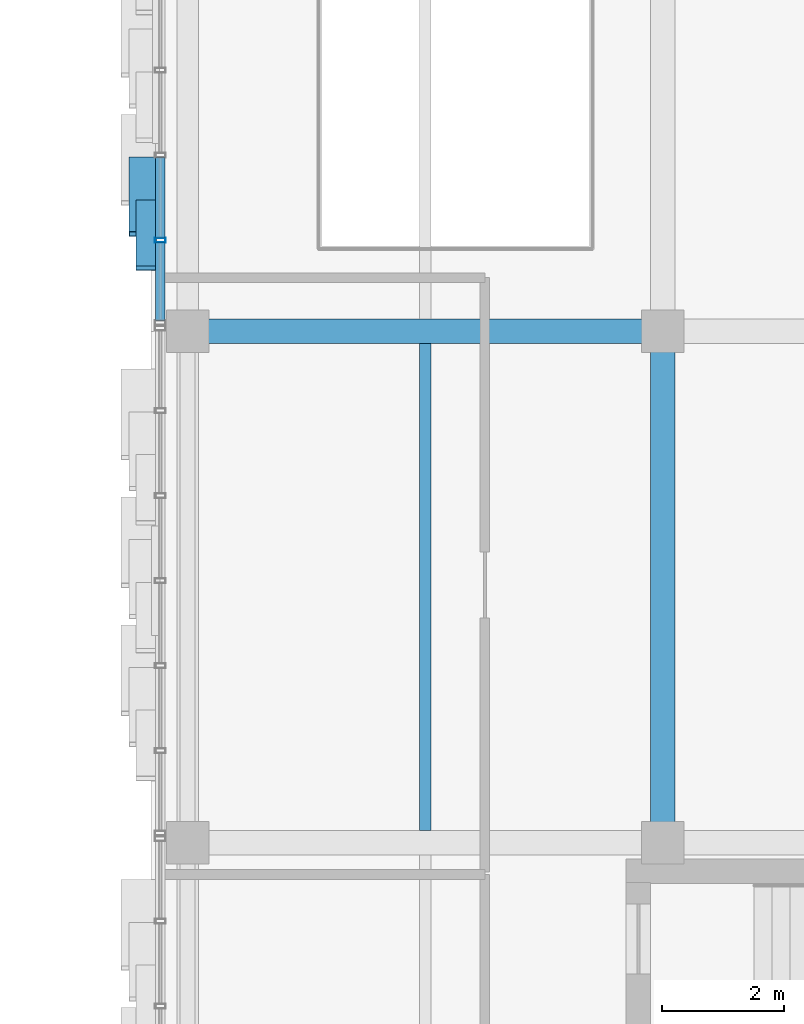
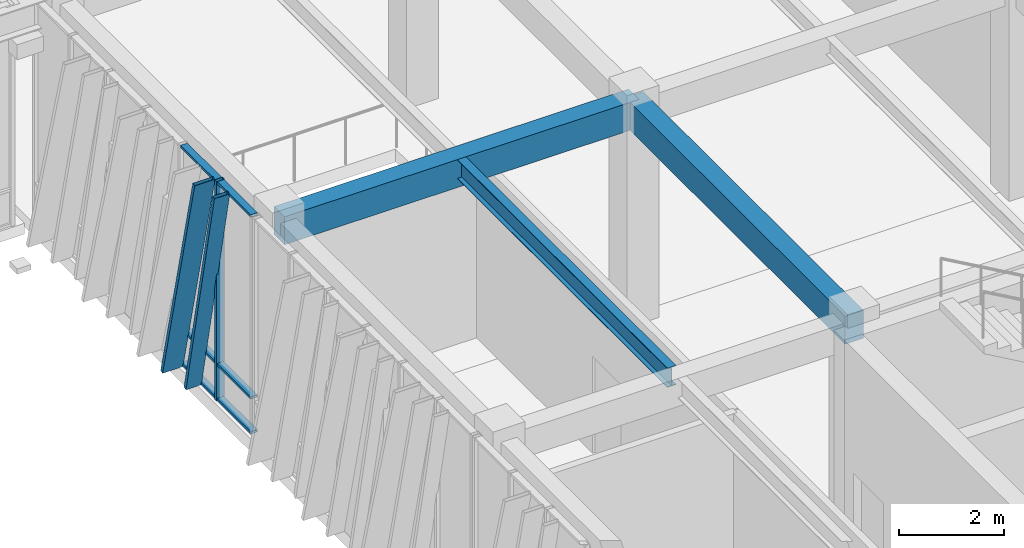
# One storey, part 34 of 139: 9 members, 3 beams, 1 element without a shape of its own.
"""IFC4 building model written with IfcOpenShell, lengths in metres."""

from ifc_helpers import new_model, si_unit, direction, frame, origin, origin_2d, place, context, subcontext, project, spatial, rectangle, hollow_rectangle, i_section, extrude, material, layer, layer_set, material_profile, profile_set, type_object, element, aggregate, save


model = new_model("IFC4")

# Units and contexts
model_context = context("Model", 3, precision=1e-05, world=origin(), true_north=direction((0.0, 1.0)))
body_context = subcontext(model_context, "Body", "Model", "MODEL_VIEW")
ifc_project = project(units=[si_unit("LENGTHUNIT", "METRE"), si_unit("AREAUNIT", "SQUARE_METRE"), si_unit("VOLUMEUNIT", "CUBIC_METRE"), si_unit("PLANEANGLEUNIT", "RADIAN"), si_unit("MASSUNIT", "GRAM", prefix="KILO")], contexts=[model_context])

# Site, building, storey
site_placement = place(None, origin())
site = spatial("IfcSite", under=ifc_project, at=site_placement, CompositionType="ELEMENT")
building_placement = place(site_placement, origin())
building = spatial("IfcBuilding", under=site, at=building_placement, Name="Zayran Congress Hotel", CompositionType="ELEMENT")
storey_placement = place(building_placement, frame((0.0, 0.0, 5.39990234375)))
storey = spatial("IfcBuildingStorey", under=building, at=storey_placement, Name="L01", CompositionType="ELEMENT", Elevation=5.39990234375)

# Beams
ifc_material_1 = material(Name="Concrete C40/50", Category="concrete")
ifc_material_profile_1 = material_profile(ifc_material_1, rectangle(XDim=0.39990234375, YDim=0.64990234375, at=origin_2d()), Name="RC 400x650")
ifc_profile_set_1 = profile_set([ifc_material_profile_1], Name="Concrete C40/50")
beam_type_1 = type_object("IfcBeamType", Name="TP-BM-03", PredefinedType="BEAM", material=ifc_profile_set_1)
beam_1_placement = place(storey_placement, frame((109.800048828125, 67.60009765625, 4.775146484375), z_axis=(1.0, 0.0, 0.0), x_axis=(0.0, 1.0, 0.0)))
element("IfcBeam", 1, at=beam_1_placement, inside=storey, type_object=beam_type_1, Name="BM-V4-L01-1320", PredefinedType="BEAM", context=body_context, shape_type="SweptSolid", body=[
    extrude(rectangle(XDim=0.39990234375, YDim=0.64990234375, at=origin_2d()), origin(), (0.0, 0.0, 1.0), 7.800048828125),
])
beam_2_placement = place(storey_placement, frame((117.60009765625, 59.199951171875, 4.775146484375), z_axis=(0.0, 1.0, 0.0), x_axis=(-1.0, 0.0, 0.0)))
element("IfcBeam", 2, at=beam_2_placement, inside=storey, type_object=beam_type_1, Name="BM-V4-L01-1353", PredefinedType="BEAM", context=body_context, shape_type="SweptSolid", body=[
    extrude(rectangle(XDim=0.39990234375, YDim=0.64990234375, at=origin_2d()), origin(), (0.0, 0.0, 1.0), 8.400146484375),
])
ifc_material_2 = material(Name="Steel S355", Category="steel")
ifc_material_profile_2 = material_profile(ifc_material_2, i_section(OverallWidth=0.18994140625, OverallDepth=0.449951171875, WebThickness=0.009521484375, FlangeThickness=0.0146484375, at=origin_2d()), Name="IPE 450")
ifc_profile_set_2 = profile_set([ifc_material_profile_2], Name="Steel S355")
beam_type_2 = type_object("IfcBeamType", Name="TP-JS-02", PredefinedType="JOIST", material=ifc_profile_set_2)
beam_3_placement = place(storey_placement, frame((113.699951171875, 59.39990234375, 4.875), z_axis=(0.0, 1.0, 0.0), x_axis=(-1.0, 0.0, 0.0)))
element("IfcBeam", 3, at=beam_3_placement, inside=storey, type_object=beam_type_2, Name="JST-V4-L01-1384", PredefinedType="JOIST", context=body_context, shape_type="SweptSolid", body=[
    extrude(i_section(OverallWidth=0.18994140625, OverallDepth=0.449951171875, WebThickness=0.009521484375, FlangeThickness=0.0146484375, at=origin_2d()), origin(), (0.0, 0.0, 1.0), 8.0),
])

# Curtain wall, members
ifc_material_3 = material(Name="Anodised aluminium and low-E insulated glass", Category="aluminium")
ifc_layer = layer(ifc_material_3, 0.179931640625)
ifc_layer_set = layer_set([ifc_layer], Name="Anodised aluminium and low-E insulated glass")
curtain_wall_type = type_object("IfcCurtainWallType", Name="CW-V4W-L01-CW-51-8371-5100", PredefinedType="USERDEFINED", material=ifc_layer_set)
curtain_wall_placement = place(storey_placement, origin())
curtain_wall = element("IfcCurtainWall", 4, at=curtain_wall_placement, inside=storey, type_object=curtain_wall_type, Name="CW-V4W-L01-3", ObjectType="CURTAIN WALL", PredefinedType="USERDEFINED")
ifc_material_4 = material(Name="Anodised aluminium framing", Category="aluminium")
ifc_material_profile_3 = material_profile(ifc_material_4, hollow_rectangle(XDim=0.080078125, YDim=0.179931640625, WallThickness=0.0048828125, at=origin_2d()), Name="RHS 180x80x5")
ifc_profile_set_3 = profile_set([ifc_material_profile_3], Name="Anodised aluminium framing")
member_type_1 = type_object("IfcMemberType", Name="TP-CWM-01", PredefinedType="MULLION", material=ifc_profile_set_3)
member_1_placement = place(storey_placement, frame((109.35009765625, 69.09423828125, 0.0), z_axis=(0.0, 0.0, 1.0), x_axis=(0.0, 1.0, 0.0)))
member_1 = element("IfcMember", 5, at=member_1_placement, type_object=member_type_1, Name="CW-V4W-L01-3-M05", PredefinedType="MULLION", context=body_context, shape_type="SweptSolid", body=[
    extrude(hollow_rectangle(XDim=0.080078125, YDim=0.179931640625, WallThickness=0.0048828125, at=origin_2d()), origin(), (0.0, 0.0, 1.0), 5.10009765625),
])
ifc_material_profile_4 = material_profile(ifc_material_4, hollow_rectangle(XDim=0.06005859375, YDim=0.14990234375, WallThickness=0.00390625, at=origin_2d()), Name="RHS 150x60x4")
ifc_profile_set_4 = profile_set([ifc_material_profile_4], Name="Anodised aluminium framing")
member_type_2 = type_object("IfcMemberType", Name="TP-CWT-01", PredefinedType="USERDEFINED", material=ifc_profile_set_4)
member_2_placement = place(storey_placement, frame((109.35009765625, 70.44921875, 0.030029296875), z_axis=(0.0, -1.0, 0.0), x_axis=(0.0, 0.0, 1.0)))
member_2 = element("IfcMember", 6, at=member_2_placement, type_object=member_type_2, Name="CW-V4W-L01-3-T04-0", ObjectType="TRANSOM", PredefinedType="USERDEFINED", context=body_context, shape_type="SweptSolid", body=[
    extrude(hollow_rectangle(XDim=0.06005859375, YDim=0.14990234375, WallThickness=0.00390625, at=origin_2d()), origin(), (0.0, 0.0, 1.0), 1.31494140625),
])
member_3_placement = place(storey_placement, frame((109.35009765625, 70.44921875, 0.840087890625), z_axis=(0.0, -1.0, 0.0), x_axis=(0.0, 0.0, 1.0)))
member_3 = element("IfcMember", 7, at=member_3_placement, type_object=member_type_2, Name="CW-V4W-L01-3-T04-1", ObjectType="TRANSOM", PredefinedType="USERDEFINED", context=body_context, shape_type="SweptSolid", body=[
    extrude(hollow_rectangle(XDim=0.06005859375, YDim=0.14990234375, WallThickness=0.00390625, at=origin_2d()), origin(), (0.0, 0.0, 1.0), 1.31494140625),
])
member_4_placement = place(storey_placement, frame((109.35009765625, 70.44921875, 5.070068359375), z_axis=(0.0, -1.0, 0.0), x_axis=(0.0, 0.0, 1.0)))
member_4 = element("IfcMember", 8, at=member_4_placement, type_object=member_type_2, Name="CW-V4W-L01-3-T04-2", ObjectType="TRANSOM", PredefinedType="USERDEFINED", context=body_context, shape_type="SweptSolid", body=[
    extrude(hollow_rectangle(XDim=0.06005859375, YDim=0.14990234375, WallThickness=0.00390625, at=origin_2d()), origin(), (0.0, 0.0, 1.0), 1.31494140625),
])
member_5_placement = place(storey_placement, frame((109.35009765625, 69.05419921875, 0.030029296875), z_axis=(0.0, -1.0, 0.0), x_axis=(0.0, 0.0, 1.0)))
member_5 = element("IfcMember", 9, at=member_5_placement, type_object=member_type_2, Name="CW-V4W-L01-3-T05-0", ObjectType="TRANSOM", PredefinedType="USERDEFINED", context=body_context, shape_type="SweptSolid", body=[
    extrude(hollow_rectangle(XDim=0.06005859375, YDim=0.14990234375, WallThickness=0.00390625, at=origin_2d()), origin(), (0.0, 0.0, 1.0), 1.275146484375),
])
member_6_placement = place(storey_placement, frame((109.35009765625, 69.05419921875, 0.840087890625), z_axis=(0.0, -1.0, 0.0), x_axis=(0.0, 0.0, 1.0)))
member_6 = element("IfcMember", 10, at=member_6_placement, type_object=member_type_2, Name="CW-V4W-L01-3-T05-1", ObjectType="TRANSOM", PredefinedType="USERDEFINED", context=body_context, shape_type="SweptSolid", body=[
    extrude(hollow_rectangle(XDim=0.06005859375, YDim=0.14990234375, WallThickness=0.00390625, at=origin_2d()), origin(), (0.0, 0.0, 1.0), 1.275146484375),
])
member_7_placement = place(storey_placement, frame((109.35009765625, 69.05419921875, 5.070068359375), z_axis=(0.0, -1.0, 0.0), x_axis=(0.0, 0.0, 1.0)))
member_7 = element("IfcMember", 11, at=member_7_placement, type_object=member_type_2, Name="CW-V4W-L01-3-T05-2", ObjectType="TRANSOM", PredefinedType="USERDEFINED", context=body_context, shape_type="SweptSolid", body=[
    extrude(hollow_rectangle(XDim=0.06005859375, YDim=0.14990234375, WallThickness=0.00390625, at=origin_2d()), origin(), (0.0, 0.0, 1.0), 1.275146484375),
])
ifc_material_5 = material(Name="Warm bronze anodised aluminium", Category="aluminium")
ifc_material_profile_5 = material_profile(ifc_material_5, hollow_rectangle(XDim=0.080078125, YDim=0.449951171875, WallThickness=0.006103515625, at=origin_2d()), Name="RHS 450x80x6")
ifc_profile_set_5 = profile_set([ifc_material_profile_5], Name="Warm bronze anodised aluminium")
member_type_3 = type_object("IfcMemberType", Name="TP-RFN-02", PredefinedType="MULLION", material=ifc_profile_set_5)
member_8_placement = place(storey_placement, frame((109.06494140625, 70.419921875, 0.0), z_axis=(0.0, -0.233434569046, 0.972372511939), x_axis=(0.0, 0.972372511939, 0.233434569046)))
member_8 = element("IfcMember", 12, at=member_8_placement, type_object=member_type_3, Name="Slanting Reed Mullion CW-51-08", PredefinedType="MULLION", context=body_context, shape_type="SweptSolid", body=[
    extrude(hollow_rectangle(XDim=0.080078125, YDim=0.449951171875, WallThickness=0.006103515625, at=origin_2d()), origin(), (0.0, 0.0, 1.0), 5.2451171875),
])
ifc_material_profile_6 = material_profile(ifc_material_5, hollow_rectangle(XDim=0.080078125, YDim=0.340087890625, WallThickness=0.006103515625, at=origin_2d()), Name="RHS 340x80x6")
ifc_profile_set_6 = profile_set([ifc_material_profile_6], Name="Warm bronze anodised aluminium")
member_type_4 = type_object("IfcMemberType", Name="TP-RFN-03", PredefinedType="MULLION", material=ifc_profile_set_6)
member_9_placement = place(storey_placement, frame((109.1201171875, 69.719970703125, 0.0), z_axis=(0.0, -0.207897956377, 0.978150519979), x_axis=(0.0, 0.978150519979, 0.207897956377)))
member_9 = element("IfcMember", 13, at=member_9_placement, type_object=member_type_4, Name="Slanting Reed Mullion CW-51-09", PredefinedType="MULLION", context=body_context, shape_type="SweptSolid", body=[
    extrude(hollow_rectangle(XDim=0.080078125, YDim=0.340087890625, WallThickness=0.006103515625, at=origin_2d()), origin(), (0.0, 0.0, 1.0), 5.214111328125),
])
aggregate(curtain_wall, [member_1, member_2, member_3, member_4, member_5, member_6, member_7, member_8, member_9])

save(model, "model.ifc")
